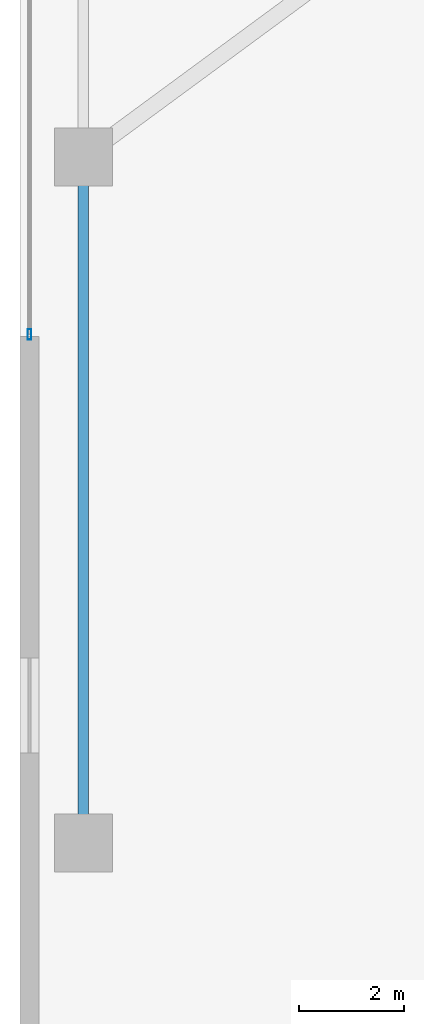
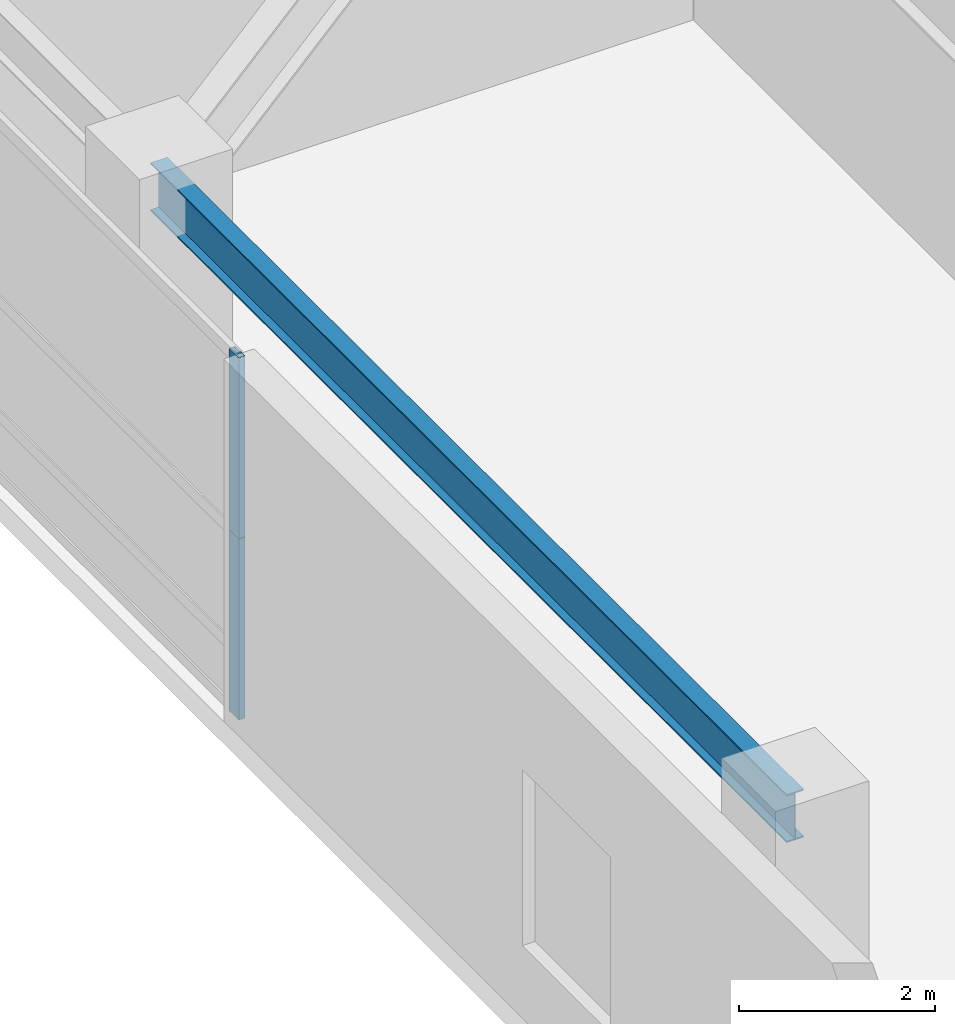
# One storey, part 5 of 37: 2 members, 1 beam, 1 element without a shape of its own.
"""IFC4 building model written with IfcOpenShell, lengths in metres."""

from ifc_helpers import new_model, si_unit, direction, frame, origin, origin_2d, place, context, subcontext, project, spatial, hollow_rectangle, i_section, extrude, source, transform, mapped, material, layer, layer_set, material_profile, profile_set, type_object, element, aggregate, save


model = new_model("IFC4")

# Units and contexts
model_context = context("Model", 3, precision=1e-05, world=origin(), true_north=direction((0.0, 1.0)))
body_context = subcontext(model_context, "Body", "Model", "MODEL_VIEW")
ifc_project = project(units=[si_unit("LENGTHUNIT", "METRE"), si_unit("AREAUNIT", "SQUARE_METRE"), si_unit("VOLUMEUNIT", "CUBIC_METRE"), si_unit("PLANEANGLEUNIT", "RADIAN"), si_unit("MASSUNIT", "GRAM", prefix="KILO"), si_unit("THERMODYNAMICTEMPERATUREUNIT", "KELVIN"), si_unit("POWERUNIT", "WATT")], contexts=[model_context])

# Site, building, storey
site_placement = place(None, origin())
site = spatial("IfcSite", under=ifc_project, at=site_placement, CompositionType="ELEMENT")
building_placement = place(site_placement, origin())
building = spatial("IfcBuilding", under=site, at=building_placement, Name="Yuzanri Waterfront Tower", CompositionType="ELEMENT")
storey_placement = place(building_placement, frame((0.0, 0.0, 5.39990234375)))
storey = spatial("IfcBuildingStorey", under=building, at=storey_placement, Name="L02", CompositionType="ELEMENT", Elevation=5.39990234375)

# Beam
ifc_material_1 = material(Name="Steel Q355B", Category="steel")
ifc_material_profile_1 = material_profile(ifc_material_1, i_section(OverallWidth=0.199951171875, OverallDepth=0.60009765625, WebThickness=0.010986328125, FlangeThickness=0.01708984375, at=origin_2d()), Name="HN 600x200x11x17")
ifc_profile_set_1 = profile_set([ifc_material_profile_1], Name="Steel Q355B")
beam_type = type_object("IfcBeamType", Name="Perimeter Spandrel Q355B HN 600x200", PredefinedType="SPANDREL", material=ifc_profile_set_1)
shared_shape_1 = source(origin(), body_context, "Body", "SweptSolid", [
    extrude(i_section(OverallWidth=0.199951171875, OverallDepth=0.60009765625, WebThickness=0.010986328125, FlangeThickness=0.01708984375, at=origin_2d()), origin(), (0.0, 0.0, 1.0), 13.0),
])
beam_placement = place(storey_placement, frame((3.199951171875, 6.39990234375, 4.22021484375), z_axis=(0.0, 1.0, 0.0), x_axis=(-1.0, 0.0, 0.0)))
element("IfcBeam", 1, at=beam_placement, inside=storey, type_object=beam_type, Name="L02 West Podium Spandrel 1", PredefinedType="SPANDREL", context=body_context, shape_type="MappedRepresentation", body=[
    mapped(shared_shape_1, transform((0.0, 0.0, 0.0), scale=1.0)),
])

# Curtain wall, members
ifc_material_2 = material(Name="Anodized Architectural Bronze", Category="metal")
ifc_layer = layer(ifc_material_2, 0.159912109375)
ifc_layer_set = layer_set([ifc_layer], Name="Anodized Architectural Bronze")
curtain_wall_type = type_object("IfcCurtainWallType", Name="Anodized Bronze Podium Waterfront Double-Height Unitized Curtain Wall 8400", PredefinedType="NOTDEFINED", material=ifc_layer_set)
curtain_wall_placement = place(storey_placement, origin())
curtain_wall = element("IfcCurtainWall", 2, at=curtain_wall_placement, inside=storey, type_object=curtain_wall_type, Name="L02 Curtain Wall CW-L02-W", PredefinedType="NOTDEFINED")
ifc_material_3 = material(Name="Anodized Architectural Bronze", Category="metal")
ifc_material_profile_2 = material_profile(ifc_material_3, hollow_rectangle(XDim=0.074951171875, YDim=0.199951171875, WallThickness=0.00390625, at=origin_2d()), Name="CWM 75x200")
ifc_profile_set_2 = profile_set([ifc_material_profile_2], Name="Anodized Architectural Bronze")
member_type = type_object("IfcMemberType", Name="Anodized Bronze Primary Curtain-Wall Mullion 75x200", PredefinedType="MULLION", material=ifc_profile_set_2)
shared_shape_2 = source(origin(), body_context, "Body", "SweptSolid", [
    extrude(hollow_rectangle(XDim=0.074951171875, YDim=0.199951171875, WallThickness=0.00390625, at=origin_2d()), origin(), (0.0, 0.0, 1.0), 2.258056640625),
])
member_1_placement = place(storey_placement, frame((2.179931640625, 16.0400390625, 0.0), z_axis=(0.0, 0.0, 1.0), x_axis=(1.0, 0.0, 0.0)))
member_1 = element("IfcMember", 3, at=member_1_placement, type_object=member_type, Name="CW-L02-W Lower Mullion 00", PredefinedType="MULLION", context=body_context, shape_type="MappedRepresentation", body=[
    mapped(shared_shape_2, transform((0.0, 0.0, 0.0), scale=1.0)),
])
shared_shape_3 = source(origin(), body_context, "Body", "SweptSolid", [
    extrude(hollow_rectangle(XDim=0.074951171875, YDim=0.199951171875, WallThickness=0.00390625, at=origin_2d()), origin(), (0.0, 0.0, 1.0), 2.2578125),
])
member_2_placement = place(storey_placement, frame((2.179931640625, 16.0400390625, 2.26220703125), z_axis=(0.0, 0.0, 1.0), x_axis=(1.0, 0.0, 0.0)))
member_2 = element("IfcMember", 4, at=member_2_placement, type_object=member_type, Name="CW-L02-W Upper Mullion 00", PredefinedType="MULLION", context=body_context, shape_type="MappedRepresentation", body=[
    mapped(shared_shape_3, transform((0.0, 0.0, 0.0), scale=1.0)),
])
aggregate(curtain_wall, [member_1, member_2])

save(model, "model.ifc")
